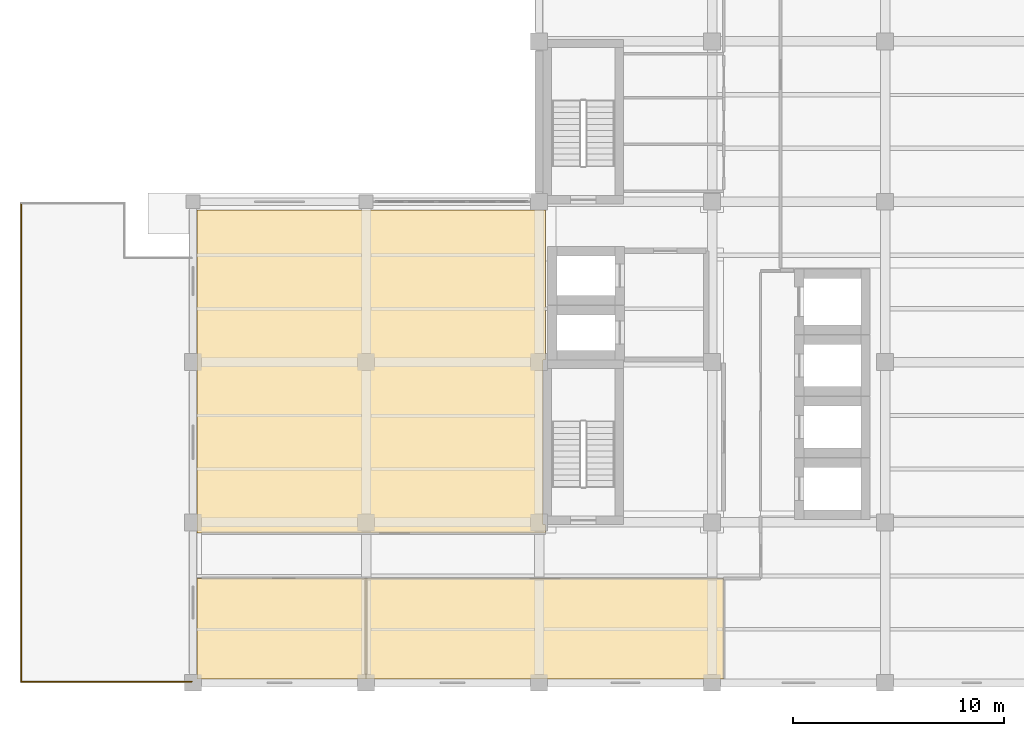
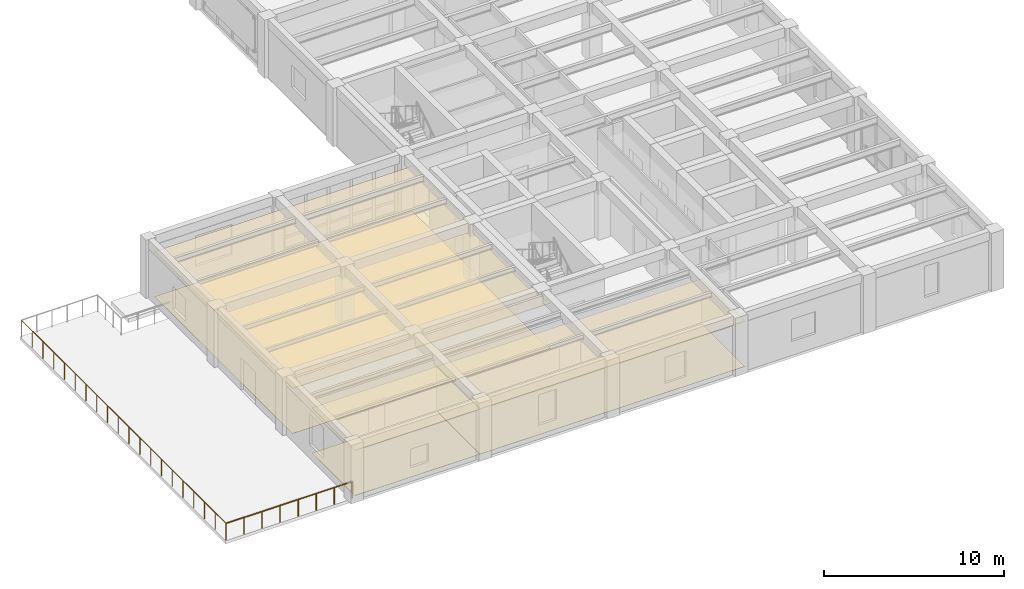
# One storey, part 10 of 14: 6 coverings, 2 railings.
"""IFC4 building model written with IfcOpenShell, lengths in metres."""

import ifcopenshell
import ifcopenshell.guid

model = None  # the IFC model being written
_history = None  # IfcOwnerHistory: only IFC2X3 demands one
_inside = {}  # id of a spatial element -> (the spatial element, [elements in it])
_under = {}  # id of a project, library or spatial element -> (it, [spatial elements below it])
_declared = {}  # id of a project -> (the project, [libraries it declares])
_typed = {}  # id of a type object -> (the type object, [elements of that type])
_made_of = {}  # id of a material, layer set ... -> (it, [elements and type objects made of it])


def new_model(schema):
    """Start an empty IFC model of exactly this schema.

    Asked for "IFC4X3", IfcOpenShell would pick the latest addendum, in which some entities
    have other attributes; the version numbers below select the first issue.
    IFC2X3 requires an IfcOwnerHistory on every rooted entity: one is made here for all.
    """
    global model, _history
    if schema == "IFC4X3":
        model = ifcopenshell.file(schema_version=(4, 3, 0, 0))
    else:
        model = ifcopenshell.file(schema=schema)
    _inside.clear()
    _under.clear()
    _declared.clear()
    _typed.clear()
    _made_of.clear()
    _history = None
    if model.schema == "IFC2X3":
        org = make("IfcOrganization", Name="unknown")
        user = make(
            "IfcPersonAndOrganization",
            ThePerson=make("IfcPerson", FamilyName="unknown"),
            TheOrganization=org,
        )
        app = make(
            "IfcApplication",
            ApplicationDeveloper=org,
            Version="unknown",
            ApplicationFullName="unknown",
            ApplicationIdentifier="unknown",
        )
        _history = make(
            "IfcOwnerHistory",
            OwningUser=user,
            OwningApplication=app,
            ChangeAction="ADDED",
            CreationDate=0,
        )
    return model


def make(cls, **values):
    """One entity of the class cls with the attributes given. An attribute that is None is left unset."""
    return model.create_entity(
        cls, **{name: value for name, value in values.items() if value is not None}
    )


def rooted(cls, **values):
    """An entity with a GlobalId (a new one), such as an element, a storey or a relation."""
    return make(cls, GlobalId=ifcopenshell.guid.new(), OwnerHistory=_history, **values)


def si_unit(unit_type, name, prefix=None):
    """IfcSIUnit, for example si_unit("LENGTHUNIT", "METRE", prefix="MILLI")."""
    return make("IfcSIUnit", UnitType=unit_type, Prefix=prefix, Name=name)


def assignment(units):
    """IfcUnitAssignment: the units of a project."""
    return None if units is None else make("IfcUnitAssignment", Units=units)


def point(xyz):
    """IfcCartesianPoint."""
    return None if xyz is None else make("IfcCartesianPoint", Coordinates=xyz)


def direction(xyz):
    """IfcDirection."""
    return None if xyz is None else make("IfcDirection", DirectionRatios=xyz)


def frame(location, z_axis=None, x_axis=None):
    """IfcAxis2Placement3D, a coordinate frame: its origin and axes. An axis left out is left unset."""
    return make(
        "IfcAxis2Placement3D",
        Location=point(location),
        Axis=direction(z_axis),
        RefDirection=direction(x_axis),
    )


def frame_2d(location, x_axis=None):
    """IfcAxis2Placement2D, a coordinate frame in the plane: its origin and x axis."""
    return make(
        "IfcAxis2Placement2D", Location=point(location), RefDirection=direction(x_axis)
    )


def origin():
    """The frame at (0, 0, 0) with its axes left unset."""
    return frame((0.0, 0.0, 0.0))


def origin_2d():
    """The frame at (0, 0) in the plane with its x axis left unset."""
    return frame_2d((0.0, 0.0))


def place(relative_to, where):
    """IfcLocalPlacement: puts the frame where relative to a parent placement (None: the world)."""
    return make(
        "IfcLocalPlacement", PlacementRelTo=relative_to, RelativePlacement=where
    )


def context(
    kind, dimensions, precision=None, world=None, true_north=None, identifier=None
):
    """IfcGeometricRepresentationContext, for example the 3D "Model" context."""
    return make(
        "IfcGeometricRepresentationContext",
        ContextIdentifier=identifier,
        ContextType=kind,
        CoordinateSpaceDimension=dimensions,
        Precision=precision,
        WorldCoordinateSystem=world,
        TrueNorth=true_north,
    )


def subcontext(parent, identifier, kind, view, scale=None):
    """IfcGeometricRepresentationSubContext, for example "Body" below "Model"."""
    return make(
        "IfcGeometricRepresentationSubContext",
        ContextIdentifier=identifier,
        ContextType=kind,
        ParentContext=parent,
        TargetScale=scale,
        TargetView=view,
    )


def project(units=None, contexts=None):
    """IfcProject with its units and contexts."""
    return rooted(
        "IfcProject",
        Name="project",
        RepresentationContexts=contexts,
        UnitsInContext=assignment(units),
    )


def spatial(cls, under=None, at=None, **own):
    """A site, building, storey or space (cls), placed at a placement, below another one or the project."""
    s = rooted(cls, ObjectPlacement=at, **own)
    if under is not None:
        _under.setdefault(under.id(), (under, []))[1].append(s)
    return s


def polyline(points):
    """IfcPolyline through the points."""
    return make("IfcPolyline", Points=[point(p) for p in points])


def profile(cls, at=None, kind="AREA", **sizes):
    """A parametric profile (cls). Its sizes go by their IFC names, for example OverallWidth=200.0."""
    return make(cls, ProfileType=kind, Position=at, **sizes)


def circle(**sizes):
    """IfcCircleProfileDef."""
    return profile("IfcCircleProfileDef", **sizes)


def outline(outer, holes=None, kind="AREA"):
    """IfcArbitraryClosedProfileDef: a profile drawn as a closed curve; with holes, ...WithVoids."""
    if holes is None:
        return make("IfcArbitraryClosedProfileDef", ProfileType=kind, OuterCurve=outer)
    return make(
        "IfcArbitraryProfileDefWithVoids",
        ProfileType=kind,
        OuterCurve=outer,
        InnerCurves=holes,
    )


def extrude(swept, where, along, depth):
    """IfcExtrudedAreaSolid: the profile swept, set in the frame where, extruded along a direction by depth."""
    return make(
        "IfcExtrudedAreaSolid",
        SweptArea=swept,
        Position=where,
        ExtrudedDirection=direction(along),
        Depth=depth,
    )


def shape(context_of_items, identifier, shape_type, items):
    """IfcShapeRepresentation: the items that make up one representation, for example the "Body"."""
    return make(
        "IfcShapeRepresentation",
        ContextOfItems=context_of_items,
        RepresentationIdentifier=identifier,
        RepresentationType=shape_type,
        Items=items,
    )


def material(Name=None, Category=None):
    """IfcMaterial."""
    return make("IfcMaterial", Name=Name, Category=Category)


def layer(
    of_material, thickness, ventilated=None, Name=None, Category=None, Priority=None
):
    """IfcMaterialLayer: one layer of a wall or slab, of a material (None: an air gap)."""
    return make(
        "IfcMaterialLayer",
        Material=of_material,
        LayerThickness=thickness,
        IsVentilated=ventilated,
        Name=Name,
        Category=Category,
        Priority=Priority,
    )


def layer_set(layers, Name=None):
    """IfcMaterialLayerSet."""
    return make("IfcMaterialLayerSet", MaterialLayers=layers, LayerSetName=Name)


def made_of(thing, what):
    """Note that an element or type object is made of a material, layer set ...; save() writes the relation."""
    if what is not None:
        _made_of.setdefault(what.id(), (what, []))[1].append(thing)
    return thing


def type_object(cls, material=None, **own):
    """A type object (cls), such as IfcWallType, which elements share."""
    return made_of(rooted(cls, **own), material)


def element(
    cls,
    number,
    at=None,
    inside=None,
    cuts=None,
    type_object=None,
    material=None,
    context=None,
    identifier="Body",
    shape_type=None,
    held_by="IfcProductDefinitionShape",
    body=None,
    shapes=None,
    **own,
):
    """One element of the class cls, such as IfcWall. Its Tag is "e" and its number.

    at: its placement. inside: the storey or other place that contains it. cuts: it is an
    opening in that element (IfcRelVoidsElement). A single representation is given by context,
    identifier, shape_type and body (its items); several are given by shapes. held_by: the class
    of the entity that holds the representations. save() writes the other relations.
    """
    e = rooted(cls, Tag="e%d" % number, ObjectPlacement=at, **own)
    if body is not None:
        shapes = [shape(context, identifier, shape_type, body)]
    if shapes is not None:
        e.Representation = make(held_by, Representations=shapes)
    if inside is not None:
        _inside.setdefault(inside.id(), (inside, []))[1].append(e)
    if cuts is not None:
        rooted(
            "IfcRelVoidsElement", RelatingBuildingElement=cuts, RelatedOpeningElement=e
        )
    if type_object is not None:
        _typed.setdefault(type_object.id(), (type_object, []))[1].append(e)
    return made_of(e, material)


def aggregate(whole, parts):
    """IfcRelAggregates: a whole, such as a stair, and the parts it consists of."""
    return rooted("IfcRelAggregates", RelatingObject=whole, RelatedObjects=parts)


def save(model, path):
    """Write the relations noted so far, then the file.

    IfcRelAggregates (storeys below a building ...), IfcRelContainedInSpatialStructure (elements
    in a storey), IfcRelDefinesByType, IfcRelAssociatesMaterial and IfcRelDeclares: one each for
    every whole, place, type object, material and project.
    """
    for whole, parts in _under.values():
        aggregate(whole, parts)
    for where, things in _inside.values():
        rooted(
            "IfcRelContainedInSpatialStructure",
            RelatedElements=things,
            RelatingStructure=where,
        )
    for kind, things in _typed.values():
        rooted("IfcRelDefinesByType", RelatedObjects=things, RelatingType=kind)
    for what, things in _made_of.values():
        rooted("IfcRelAssociatesMaterial", RelatedObjects=things, RelatingMaterial=what)
    for by, libraries in _declared.values():
        rooted("IfcRelDeclares", RelatingContext=by, RelatedDefinitions=libraries)
    model.write(path)


model = new_model("IFC4")

# Units and contexts
model_context = context("Model", 3, precision=1e-05, world=origin(), true_north=direction((0.0, 1.0)))
body_context = subcontext(model_context, "Body", "Model", "MODEL_VIEW")
ifc_project = project(units=[si_unit("LENGTHUNIT", "METRE"), si_unit("AREAUNIT", "SQUARE_METRE"), si_unit("VOLUMEUNIT", "CUBIC_METRE"), si_unit("PLANEANGLEUNIT", "RADIAN"), si_unit("MASSUNIT", "GRAM", prefix="KILO")], contexts=[model_context])

# Site, building, storey
site_placement = place(None, origin())
site = spatial("IfcSite", under=ifc_project, at=site_placement, CompositionType="ELEMENT")
building_placement = place(site_placement, origin())
building = spatial("IfcBuilding", under=site, at=building_placement, Name="Qandaris Square Conservatory and Botanical Centre", CompositionType="ELEMENT")
storey_placement = place(building_placement, frame((0.0, 0.0, 36.60009765625)))
storey = spatial("IfcBuildingStorey", under=building, at=storey_placement, Name="L08", CompositionType="ELEMENT", Elevation=36.60009765625)

# Coverings
ifc_material_1 = material(Name="Gypsum Plasterboard", Category="gypsum")
ifc_layer_1 = layer(ifc_material_1, 0.02490234375)
ifc_layer_set_1 = layer_set([ifc_layer_1], Name="Gypsum Plasterboard")
covering_type_1 = type_object("IfcCoveringType", Name="Perforated Acoustic Lab Ceiling Tile", PredefinedType="CEILING", material=ifc_layer_set_1)
covering_1_placement = place(storey_placement, frame((0.0, 0.0, 3.0498046875)))
element("IfcCovering", 1, at=covering_1_placement, inside=storey, type_object=covering_type_1, Name="Drought Proteomics Research Laboratory Ceiling", PredefinedType="CEILING", context=body_context, shape_type="SweptSolid", body=[
    extrude(outline(polyline([(123.199951171875, 21.550048828125), (131.0, 21.550048828125), (131.0, 16.780029296875), (122.97998046875, 16.780029296875), (122.97998046875, 21.550048828125), (123.199951171875, 21.550048828125)])), origin(), (0.0, 0.0, 1.0), 0.025146484375),
])
covering_2_placement = place(storey_placement, frame((0.0, 0.0, 3.0498046875)))
element("IfcCovering", 2, at=covering_2_placement, inside=storey, type_object=covering_type_1, Name="Date Palm Genomics Suite Ceiling", PredefinedType="CEILING", context=body_context, shape_type="SweptSolid", body=[
    extrude(outline(polyline([(147.949951171875, 21.550048828125), (147.949951171875, 16.780029296875), (131.0, 16.780029296875), (131.0, 21.550048828125), (147.949951171875, 21.550048828125)])), origin(), (0.0, 0.0, 1.0), 0.025146484375),
])
covering_3_placement = place(storey_placement, frame((0.0, 0.0, 3.0498046875)))
element("IfcCovering", 3, at=covering_3_placement, inside=storey, type_object=covering_type_1, Name="Rhizosphere Biology Research Laboratory Ceiling", PredefinedType="CEILING", context=body_context, shape_type="SweptSolid", body=[
    extrude(outline(polyline([(139.5, 31.89990234375), (139.39990234375, 31.89990234375), (139.39990234375, 24.10009765625), (139.5, 24.10009765625), (139.5, 23.699951171875), (123.199951171875, 23.699951171875), (122.97998046875, 23.699951171875), (122.97998046875, 39.0), (139.5, 39.0), (139.5, 31.89990234375)])), origin(), (0.0, 0.0, 1.0), 0.025146484375),
])
ifc_material_2 = material(Name="Epoxy Resin Screed", Category="finish")
ifc_layer_2 = layer(ifc_material_2, 0.014892578125)
ifc_layer_set_2 = layer_set([ifc_layer_2], Name="Epoxy Resin Screed")
covering_type_2 = type_object("IfcCoveringType", Name="Seamless Epoxy Laboratory Flooring", PredefinedType="FLOORING", material=ifc_layer_set_2)
covering_4_placement = place(storey_placement, origin())
element("IfcCovering", 4, at=covering_4_placement, inside=storey, type_object=covering_type_2, Name="Drought Proteomics Research Laboratory Flooring", PredefinedType="FLOORING", context=body_context, shape_type="SweptSolid", body=[
    extrude(outline(polyline([(123.199951171875, 21.550048828125), (131.0, 21.550048828125), (131.0, 16.780029296875), (122.97998046875, 16.780029296875), (122.97998046875, 21.550048828125), (123.199951171875, 21.550048828125)])), origin(), (0.0, 0.0, 1.0), 0.014892578125),
])
covering_5_placement = place(storey_placement, origin())
element("IfcCovering", 5, at=covering_5_placement, inside=storey, type_object=covering_type_2, Name="Date Palm Genomics Suite Flooring", PredefinedType="FLOORING", context=body_context, shape_type="SweptSolid", body=[
    extrude(outline(polyline([(147.949951171875, 21.550048828125), (147.949951171875, 16.780029296875), (131.0, 16.780029296875), (131.0, 21.550048828125), (147.949951171875, 21.550048828125)])), origin(), (0.0, 0.0, 1.0), 0.014892578125),
])
covering_6_placement = place(storey_placement, origin())
element("IfcCovering", 6, at=covering_6_placement, inside=storey, type_object=covering_type_2, Name="Rhizosphere Biology Research Laboratory Flooring", PredefinedType="FLOORING", context=body_context, shape_type="SweptSolid", body=[
    extrude(outline(polyline([(139.5, 31.89990234375), (139.39990234375, 31.89990234375), (139.39990234375, 24.10009765625), (139.5, 24.10009765625), (139.5, 23.699951171875), (123.199951171875, 23.699951171875), (122.97998046875, 23.699951171875), (122.97998046875, 39.0), (139.5, 39.0), (139.5, 31.89990234375)])), origin(), (0.0, 0.0, 1.0), 0.014892578125),
])

# Railings
ifc_material_3 = material(Name="Weathering Bronze Alloy", Category="metal")
railing_type = type_object("IfcRailingType", Name="Terrace Perimeter Prairie Guardrail 1150mm", PredefinedType="GUARDRAIL", material=ifc_material_3)
railing_1_placement = place(storey_placement, frame((122.739990234375, 16.659912109375, 0.0)))
element("IfcRailing", 7, at=railing_1_placement, inside=storey, type_object=railing_type, Name="Square Overlook Setback Terrace L08 Guardrail 1", PredefinedType="GUARDRAIL", context=body_context, shape_type="SweptSolid", body=[
    extrude(circle(Radius=0.02392578125, at=origin_2d()), frame((0.0, 0.0, 1.1259765625), z_axis=(-1.0, 0.0, 0.0), x_axis=(0.0, -1.0, 0.0)), (0.0, 0.0, 1.0), 8.080078125),
    extrude(circle(Radius=0.02099609375, at=origin_2d()), origin(), (0.0, 0.0, 1.0), 1.101806640625),
    extrude(circle(Radius=0.02099609375, at=origin_2d()), frame((-1.154296875, 0.0, 0.0)), (0.0, 0.0, 1.0), 1.101806640625),
    extrude(circle(Radius=0.02099609375, at=origin_2d()), frame((-2.30859375, 0.0, 0.0)), (0.0, 0.0, 1.0), 1.101806640625),
    extrude(circle(Radius=0.02099609375, at=origin_2d()), frame((-3.462890625, 0.0, 0.0)), (0.0, 0.0, 1.0), 1.101806640625),
    extrude(circle(Radius=0.02099609375, at=origin_2d()), frame((-4.6171875, 0.0, 0.0)), (0.0, 0.0, 1.0), 1.101806640625),
    extrude(circle(Radius=0.02099609375, at=origin_2d()), frame((-5.771484375, 0.0, 0.0)), (0.0, 0.0, 1.0), 1.101806640625),
    extrude(circle(Radius=0.02099609375, at=origin_2d()), frame((-6.92578125, 0.0, 0.0)), (0.0, 0.0, 1.0), 1.101806640625),
    extrude(circle(Radius=0.02099609375, at=origin_2d()), frame((-8.080078125, 0.0, 0.0)), (0.0, 0.0, 1.0), 1.101806640625),
])
railing_2_placement = place(storey_placement, frame((114.659912109375, 16.659912109375, 0.0)))
element("IfcRailing", 8, at=railing_2_placement, inside=storey, type_object=railing_type, Name="Square Overlook Setback Terrace L08 Guardrail 2", PredefinedType="GUARDRAIL", context=body_context, shape_type="SweptSolid", body=[
    extrude(circle(Radius=0.02392578125, at=origin_2d()), frame((0.0, 0.0, 1.1259765625), z_axis=(0.0, 1.0, 0.0), x_axis=(-1.0, 0.0, 0.0)), (0.0, 0.0, 1.0), 22.68017578125),
    extrude(circle(Radius=0.02099609375, at=origin_2d()), origin(), (0.0, 0.0, 1.0), 1.101806640625),
    extrude(circle(Radius=0.02099609375, at=origin_2d()), frame((0.0, 1.193603515625, 0.0)), (0.0, 0.0, 1.0), 1.101806640625),
    extrude(circle(Radius=0.02099609375, at=origin_2d()), frame((0.0, 2.387451171875, 0.0)), (0.0, 0.0, 1.0), 1.101806640625),
    extrude(circle(Radius=0.02099609375, at=origin_2d()), frame((0.0, 3.5810546875, 0.0)), (0.0, 0.0, 1.0), 1.101806640625),
    extrude(circle(Radius=0.02099609375, at=origin_2d()), frame((0.0, 4.774658203125, 0.0)), (0.0, 0.0, 1.0), 1.101806640625),
    extrude(circle(Radius=0.02099609375, at=origin_2d()), frame((0.0, 5.968505859375, 0.0)), (0.0, 0.0, 1.0), 1.101806640625),
    extrude(circle(Radius=0.02099609375, at=origin_2d()), frame((0.0, 7.162109375, 0.0)), (0.0, 0.0, 1.0), 1.101806640625),
    extrude(circle(Radius=0.02099609375, at=origin_2d()), frame((0.0, 8.35595703125, 0.0)), (0.0, 0.0, 1.0), 1.101806640625),
    extrude(circle(Radius=0.02099609375, at=origin_2d()), frame((0.0, 9.549560546875, 0.0)), (0.0, 0.0, 1.0), 1.101806640625),
    extrude(circle(Radius=0.02099609375, at=origin_2d()), frame((0.0, 10.7431640625, 0.0)), (0.0, 0.0, 1.0), 1.101806640625),
    extrude(circle(Radius=0.02099609375, at=origin_2d()), frame((0.0, 11.93701171875, 0.0)), (0.0, 0.0, 1.0), 1.101806640625),
    extrude(circle(Radius=0.02099609375, at=origin_2d()), frame((0.0, 13.130615234375, 0.0)), (0.0, 0.0, 1.0), 1.101806640625),
    extrude(circle(Radius=0.02099609375, at=origin_2d()), frame((0.0, 14.32421875, 0.0)), (0.0, 0.0, 1.0), 1.101806640625),
    extrude(circle(Radius=0.02099609375, at=origin_2d()), frame((0.0, 15.51806640625, 0.0)), (0.0, 0.0, 1.0), 1.101806640625),
    extrude(circle(Radius=0.02099609375, at=origin_2d()), frame((0.0, 16.711669921875, 0.0)), (0.0, 0.0, 1.0), 1.101806640625),
    extrude(circle(Radius=0.02099609375, at=origin_2d()), frame((0.0, 17.905517578125, 0.0)), (0.0, 0.0, 1.0), 1.101806640625),
    extrude(circle(Radius=0.02099609375, at=origin_2d()), frame((0.0, 19.09912109375, 0.0)), (0.0, 0.0, 1.0), 1.101806640625),
    extrude(circle(Radius=0.02099609375, at=origin_2d()), frame((0.0, 20.292724609375, 0.0)), (0.0, 0.0, 1.0), 1.101806640625),
    extrude(circle(Radius=0.02099609375, at=origin_2d()), frame((0.0, 21.486572265625, 0.0)), (0.0, 0.0, 1.0), 1.101806640625),
    extrude(circle(Radius=0.02099609375, at=origin_2d()), frame((0.0, 22.68017578125, 0.0)), (0.0, 0.0, 1.0), 1.101806640625),
])

save(model, "model.ifc")
